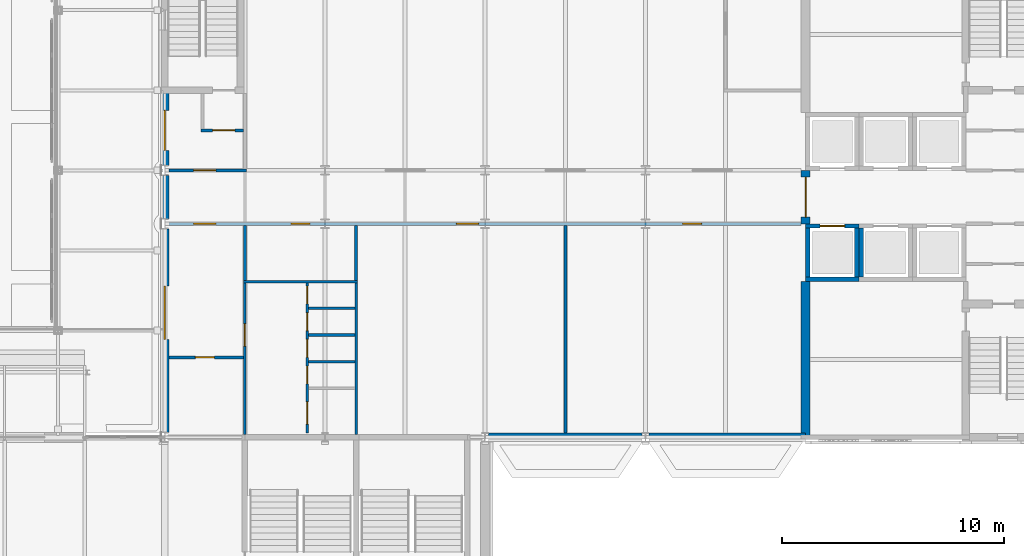
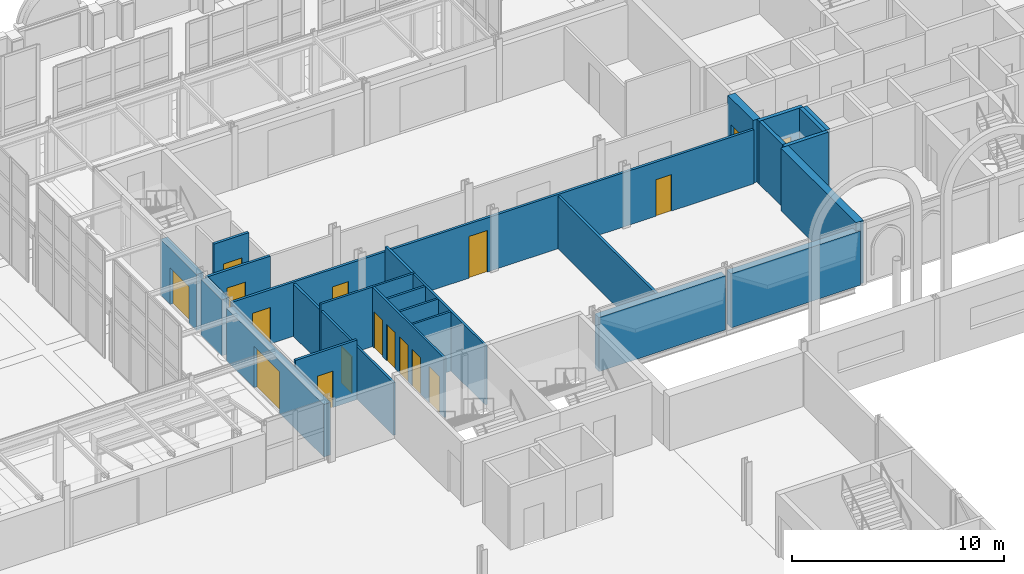
# One storey, part 77 of 143: 26 walls, 17 doors, 17 openings.
"""IFC4 building model written with IfcOpenShell, lengths in metres."""

from ifc_helpers import new_model, si_unit, direction, frame, frame_2d, origin, place, context, subcontext, project, spatial, rectangle, extrude, material, layer, layer_set, type_object, element, fill, save


model = new_model("IFC4")

# Units and contexts
model_context = context("Model", 3, precision=1e-05, world=origin(), true_north=direction((0.0, 1.0)))
body_context = subcontext(model_context, "Body", "Model", "MODEL_VIEW")
ifc_project = project(units=[si_unit("LENGTHUNIT", "METRE"), si_unit("AREAUNIT", "SQUARE_METRE"), si_unit("VOLUMEUNIT", "CUBIC_METRE"), si_unit("PLANEANGLEUNIT", "RADIAN"), si_unit("MASSUNIT", "GRAM", prefix="KILO")], contexts=[model_context])

# Site, building, storey
site_placement = place(None, origin())
site = spatial("IfcSite", under=ifc_project, at=site_placement, CompositionType="ELEMENT")
building_placement = place(site_placement, origin())
building = spatial("IfcBuilding", under=site, at=building_placement, Name="Kupolbacken Congress Centre", CompositionType="ELEMENT")
storey_placement = place(building_placement, frame((0.0, 0.0, 7.199951171875)))
storey = spatial("IfcBuildingStorey", under=building, at=storey_placement, Name="L02", CompositionType="ELEMENT", Elevation=7.199951171875)

# Walls
ifc_material_1 = material(Name="Limestone", Category="masonry")
ifc_layer_1 = layer(ifc_material_1, 0.1201171875)
ifc_material_2 = material(Name="Air cavity", Category="air")
ifc_layer_2 = layer(ifc_material_2, 0.0400390625, ventilated=True)
ifc_material_3 = material(Name="Mineral wool", Category="insulation")
ifc_layer_3 = layer(ifc_material_3, 0.169921875)
ifc_material_4 = material(Name="Steel studs", Category="metal")
ifc_layer_4 = layer(ifc_material_4, 0.050048828125)
ifc_layer_set_1 = layer_set([ifc_layer_1, ifc_layer_2, ifc_layer_3, ifc_layer_4], Name="Limestone / Mineral wool / Steel studs")
wall_type_1 = type_object("IfcWallType", Name="EW03 external cavity wall 380", PredefinedType="SOLIDWALL", material=ifc_layer_set_1)
wall_1_placement = place(storey_placement, frame((79.353515625, 122.39990234375, 0.0), z_axis=(0.0, 0.0, 1.0), x_axis=(1.0, 0.0, 0.0)))
element("IfcWall", 1, at=wall_1_placement, inside=storey, type_object=wall_type_1, Name="E/T/S/L02/023", PredefinedType="SOLIDWALL", context=body_context, shape_type="SweptSolid", body=[
    extrude(rectangle(XDim=6.89306640625, YDim=0.3798828125, at=frame_2d((3.446533203125, 0.0))), origin(), (0.0, 0.0, 1.0), 3.1201171875),
])
wall_2_placement = place(storey_placement, frame((86.553466796875, 122.39990234375, 0.0), z_axis=(0.0, 0.0, 1.0), x_axis=(1.0, 0.0, 0.0)))
element("IfcWall", 2, at=wall_2_placement, inside=storey, type_object=wall_type_1, Name="E/T/S/L02/024", PredefinedType="SOLIDWALL", context=body_context, shape_type="SweptSolid", body=[
    extrude(rectangle(XDim=7.046630859375, YDim=0.3798828125, at=frame_2d((3.5234375, 0.0))), origin(), (0.0, 0.0, 1.0), 3.1201171875),
])

# Wall, opening, door
wall_3_placement = place(storey_placement, frame((64.800048828125, 138.0, 0.0), z_axis=(0.0, 0.0, 1.0), x_axis=(0.0, -1.0, 0.0)))
wall_3 = element("IfcWall", 3, at=wall_3_placement, inside=storey, type_object=wall_type_1, Name="E/T/W/L02/030", PredefinedType="SOLIDWALL", context=body_context, shape_type="SweptSolid", body=[
    extrude(rectangle(XDim=3.375, YDim=0.3798828125, at=frame_2d((1.6875, 0.0))), origin(), (0.0, 0.0, 1.0), 3.219970703125),
])
opening_1_placement = place(wall_3_placement, frame((0.89990234375, 0.0, 0.0)))
opening_1 = element("IfcOpeningElement", 4, at=opening_1_placement, cuts=wall_3, Name="Opening D44", PredefinedType="OPENING", context=body_context, shape_type="SweptSolid", body=[
    extrude(rectangle(XDim=1.800048828125, YDim=2.10009765625, at=frame_2d((0.89990234375, 1.050048828125))), frame((0.0, 0.199951171875, 0.0), z_axis=(0.0, -1.0, 0.0), x_axis=(1.0, 0.0, 0.0)), (0.0, 0.0, 1.0), 0.39990234375),
])
ifc_material_5 = material(Name="Steel fire door leaf", Category="steel")
door_type_1 = type_object("IfcDoorType", Name="D44 stair door 1800x2100", OperationType="DOUBLE_DOOR_SINGLE_SWING", PredefinedType="DOOR", material=ifc_material_5)
door_1_placement = place(opening_1_placement, frame((1.800048828125, 0.0, 0.0), z_axis=(0.0, 0.0, 1.0), x_axis=(-1.0, 0.0, 0.0)))
door_1 = element("IfcDoor", 5, at=door_1_placement, inside=storey, type_object=door_type_1, Name="E/T/W/L02/030/DXTS3", OperationType="DOUBLE_DOOR_SINGLE_SWING", OverallHeight=2.10009765625, OverallWidth=1.800048828125, PredefinedType="DOOR", context=body_context, shape_type="SweptSolid", body=[
    extrude(rectangle(XDim=1.800048828125, YDim=2.10009765625, at=frame_2d((0.89990234375, 1.050048828125))), frame((0.0, 0.02490234375, 0.0), z_axis=(0.0, -1.0, 0.0), x_axis=(1.0, 0.0, 0.0)), (0.0, 0.0, 1.0), 0.050048828125),
])
fill(opening_1, door_1)

# Wall
wall_4_placement = place(storey_placement, frame((64.800048828125, 134.175048828125, 0.0), z_axis=(0.0, 0.0, 1.0), x_axis=(0.0, -1.0, 0.0)))
element("IfcWall", 6, at=wall_4_placement, inside=storey, type_object=wall_type_1, Name="E/T/W/L02/031", PredefinedType="SOLIDWALL", context=body_context, shape_type="SweptSolid", body=[
    extrude(rectangle(XDim=1.949951171875, YDim=0.3798828125, at=frame_2d((0.97509765625, 0.0))), origin(), (0.0, 0.0, 1.0), 3.219970703125),
])

# Wall, opening, door
wall_5_placement = place(storey_placement, frame((64.800048828125, 131.77490234375, 0.0), z_axis=(0.0, 0.0, 1.0), x_axis=(0.0, -1.0, 0.0)))
wall_5 = element("IfcWall", 7, at=wall_5_placement, inside=storey, type_object=wall_type_1, Name="E/T/W/L02/032", PredefinedType="SOLIDWALL", context=body_context, shape_type="SweptSolid", body=[
    extrude(rectangle(XDim=9.14990234375, YDim=0.3798828125, at=frame_2d((4.574951171875, 0.0))), origin(), (0.0, 0.0, 1.0), 3.02001953125),
])
opening_2_placement = place(wall_5_placement, frame((2.574951171875, 0.0, 0.0)))
opening_2 = element("IfcOpeningElement", 8, at=opening_2_placement, cuts=wall_5, Name="Opening D18", PredefinedType="OPENING", context=body_context, shape_type="SweptSolid", body=[
    extrude(rectangle(XDim=2.39990234375, YDim=2.39990234375, at=frame_2d((1.199951171875, 1.199951171875))), frame((0.0, 0.199951171875, 0.0), z_axis=(0.0, -1.0, 0.0), x_axis=(1.0, 0.0, 0.0)), (0.0, 0.0, 1.0), 0.39990234375),
])
ifc_material_6 = material(Name="Timber door leaf", Category="wood")
door_type_2 = type_object("IfcDoorType", Name="D18 door 2400x2400", OperationType="DOUBLE_DOOR_SINGLE_SWING", PredefinedType="DOOR", material=ifc_material_6)
door_2_placement = place(opening_2_placement, frame((2.39990234375, 0.0, 0.0), z_axis=(0.0, 0.0, 1.0), x_axis=(-1.0, 0.0, 0.0)))
door_2 = element("IfcDoor", 9, at=door_2_placement, inside=storey, type_object=door_type_2, Name="E/T/W/L02/032/DHT4", OperationType="DOUBLE_DOOR_SINGLE_SWING", OverallHeight=2.39990234375, OverallWidth=2.39990234375, PredefinedType="DOOR", context=body_context, shape_type="SweptSolid", body=[
    extrude(rectangle(XDim=2.39990234375, YDim=2.39990234375, at=frame_2d((1.199951171875, 1.199951171875))), frame((0.0, 0.02490234375, 0.0), z_axis=(0.0, -1.0, 0.0), x_axis=(1.0, 0.0, 0.0)), (0.0, 0.0, 1.0), 0.050048828125),
])
fill(opening_2, door_2)

# Walls
ifc_material_7 = material(Name="Gypsum board", Category="drywall")
ifc_layer_5 = layer(ifc_material_7, 0.114990234375)
ifc_layer_set_2 = layer_set([ifc_layer_5], Name="Gypsum board")
wall_type_2 = type_object("IfcWallType", Name="P04 partition 115", PredefinedType="PARTITIONING", material=ifc_layer_set_2)
for number, where, z_axis, x_axis, name in (
    (10, (71.257568359375, 125.800048828125, 0.0), (0.0, 0.0, 1.0), (1.0, 0.0, 0.0), "T/wall/L02/x/12580/7120"),
    (11, (71.257568359375, 127.0, 0.0), (0.0, 0.0, 1.0), (1.0, 0.0, 0.0), "T/wall/L02/x/12700/7120"),
    (12, (71.257568359375, 128.199951171875, 0.0), (0.0, 0.0, 1.0), (1.0, 0.0, 0.0), "T/wall/L02/x/12820/7120"),
):
    element("IfcWall", number, at=place(storey_placement, frame(where, z_axis=z_axis, x_axis=x_axis)), inside=storey, type_object=wall_type_2, Name=name, PredefinedType="PARTITIONING", context=body_context, shape_type="SweptSolid", body=[
        extrude(rectangle(XDim=2.0849609375, YDim=0.114990234375, at=frame_2d((1.04248046875, 0.0))), origin(), (0.0, 0.0, 1.0), 3.420166015625),
    ])
wall_6_placement = place(storey_placement, frame((68.33251953125, 129.39990234375, 0.0), z_axis=(0.0, 0.0, 1.0), x_axis=(1.0, 0.0, 0.0)))
element("IfcWall", 13, at=wall_6_placement, inside=storey, type_object=wall_type_2, Name="T/wall/L02/x/12940/6840", PredefinedType="PARTITIONING", context=body_context, shape_type="SweptSolid", body=[
    extrude(rectangle(XDim=5.135009765625, YDim=0.114990234375, at=frame_2d((2.5673828125, 0.0))), origin(), (0.0, 0.0, 1.0), 3.420166015625),
])

# Wall, opening, door
wall_7_placement = place(storey_placement, frame((68.39990234375, 122.52490234375, 0.0), z_axis=(0.0, 0.0, 1.0), x_axis=(0.0, 1.0, 0.0)))
wall_7 = element("IfcWall", 14, at=wall_7_placement, inside=storey, type_object=wall_type_2, Name="T/wall/L02/y/6840/12252", PredefinedType="PARTITIONING", context=body_context, shape_type="SweptSolid", body=[
    extrude(rectangle(XDim=6.817626953125, YDim=0.114990234375, at=frame_2d((3.40869140625, 0.0))), origin(), (0.0, 0.0, 1.0), 3.02001953125),
])
opening_3_placement = place(wall_7_placement, frame((3.97509765625, 0.0, 0.0)))
opening_3 = element("IfcOpeningElement", 15, at=opening_3_placement, cuts=wall_7, Name="Opening D39", PredefinedType="OPENING", context=body_context, shape_type="SweptSolid", body=[
    extrude(rectangle(XDim=1.0, YDim=2.10009765625, at=frame_2d((0.5, 1.050048828125))), frame((0.0, 0.0673828125, 0.0), z_axis=(0.0, -1.0, 0.0), x_axis=(1.0, 0.0, 0.0)), (0.0, 0.0, 1.0), 0.135009765625),
])
ifc_material_8 = material(Name="Timber door leaf", Category="wood")
door_type_3 = type_object("IfcDoorType", Name="D39 door 1000x2100", OperationType="SINGLE_SWING_LEFT", PredefinedType="DOOR", material=ifc_material_8)
door_3_placement = place(opening_3_placement, origin())
door_3 = element("IfcDoor", 16, at=door_3_placement, inside=storey, type_object=door_type_3, Name="T/wall/L02/y/6840/12252/D-WH-DE", OperationType="SINGLE_SWING_RIGHT", OverallHeight=2.10009765625, OverallWidth=1.0, PredefinedType="DOOR", context=body_context, shape_type="SweptSolid", body=[
    extrude(rectangle(XDim=1.0, YDim=2.10009765625, at=frame_2d((0.5, 1.050048828125))), frame((0.0, 0.02490234375, 0.0), z_axis=(0.0, -1.0, 0.0), x_axis=(1.0, 0.0, 0.0)), (0.0, 0.0, 1.0), 0.050048828125),
])
fill(opening_3, door_3)

# Wall, openings, doors
wall_8_placement = place(storey_placement, frame((71.199951171875, 122.590087890625, 0.0), z_axis=(0.0, 0.0, 1.0), x_axis=(0.0, 1.0, 0.0)))
wall_8 = element("IfcWall", 17, at=wall_8_placement, inside=storey, type_object=wall_type_2, Name="T/wall/L02/y/7120/12240", PredefinedType="PARTITIONING", context=body_context, shape_type="SweptSolid", body=[
    extrude(rectangle(XDim=6.75244140625, YDim=0.114990234375, at=frame_2d((3.376220703125, 0.0))), origin(), (0.0, 0.0, 1.0), 3.420166015625),
])
opening_4_placement = place(wall_8_placement, frame((0.409912109375, 0.0, 0.0)))
opening_4 = element("IfcOpeningElement", 18, at=opening_4_placement, cuts=wall_8, Name="Opening D39", PredefinedType="OPENING", context=body_context, shape_type="SweptSolid", body=[
    extrude(rectangle(XDim=1.0, YDim=2.10009765625, at=frame_2d((0.5, 1.050048828125))), frame((0.0, 0.0673828125, 0.0), z_axis=(0.0, -1.0, 0.0), x_axis=(1.0, 0.0, 0.0)), (0.0, 0.0, 1.0), 0.135009765625),
])
opening_5_placement = place(wall_8_placement, frame((2.2099609375, 0.0, 0.0)))
opening_5 = element("IfcOpeningElement", 19, at=opening_5_placement, cuts=wall_8, Name="Opening D2", PredefinedType="OPENING", context=body_context, shape_type="SweptSolid", body=[
    extrude(rectangle(XDim=0.800048828125, YDim=2.10009765625, at=frame_2d((0.39990234375, 1.050048828125))), frame((0.0, 0.0673828125, 0.0), z_axis=(0.0, -1.0, 0.0), x_axis=(1.0, 0.0, 0.0)), (0.0, 0.0, 1.0), 0.135009765625),
])
opening_6_placement = place(wall_8_placement, frame((3.409912109375, 0.0, 0.0)))
opening_6 = element("IfcOpeningElement", 20, at=opening_6_placement, cuts=wall_8, Name="Opening D2", PredefinedType="OPENING", context=body_context, shape_type="SweptSolid", body=[
    extrude(rectangle(XDim=0.800048828125, YDim=2.10009765625, at=frame_2d((0.39990234375, 1.050048828125))), frame((0.0, 0.0673828125, 0.0), z_axis=(0.0, -1.0, 0.0), x_axis=(1.0, 0.0, 0.0)), (0.0, 0.0, 1.0), 0.135009765625),
])
opening_7_placement = place(wall_8_placement, frame((4.610107421875, 0.0, 0.0)))
opening_7 = element("IfcOpeningElement", 21, at=opening_7_placement, cuts=wall_8, Name="Opening D2", PredefinedType="OPENING", context=body_context, shape_type="SweptSolid", body=[
    extrude(rectangle(XDim=0.800048828125, YDim=2.10009765625, at=frame_2d((0.39990234375, 1.050048828125))), frame((0.0, 0.0673828125, 0.0), z_axis=(0.0, -1.0, 0.0), x_axis=(1.0, 0.0, 0.0)), (0.0, 0.0, 1.0), 0.135009765625),
])
opening_8_placement = place(wall_8_placement, frame((5.81005859375, 0.0, 0.0)))
opening_8 = element("IfcOpeningElement", 22, at=opening_8_placement, cuts=wall_8, Name="Opening D2", PredefinedType="OPENING", context=body_context, shape_type="SweptSolid", body=[
    extrude(rectangle(XDim=0.800048828125, YDim=2.10009765625, at=frame_2d((0.39990234375, 1.050048828125))), frame((0.0, 0.0673828125, 0.0), z_axis=(0.0, -1.0, 0.0), x_axis=(1.0, 0.0, 0.0)), (0.0, 0.0, 1.0), 0.135009765625),
])
ifc_material_9 = material(Name="Timber door leaf", Category="wood")
door_type_4 = type_object("IfcDoorType", Name="D2 door 800x2100", OperationType="SINGLE_SWING_LEFT", PredefinedType="DOOR", material=ifc_material_9)
door_4_placement = place(opening_5_placement, frame((0.800048828125, 0.0, 0.0), z_axis=(0.0, 0.0, 1.0), x_axis=(-1.0, 0.0, 0.0)))
door_4 = element("IfcDoor", 23, at=door_4_placement, inside=storey, type_object=door_type_4, Name="T/wall/L02/y/7120/12240/D-WH-DC1", OperationType="SINGLE_SWING_RIGHT", OverallHeight=2.10009765625, OverallWidth=0.800048828125, PredefinedType="DOOR", context=body_context, shape_type="SweptSolid", body=[
    extrude(rectangle(XDim=0.800048828125, YDim=2.10009765625, at=frame_2d((0.39990234375, 1.050048828125))), frame((0.0, 0.02490234375, 0.0), z_axis=(0.0, -1.0, 0.0), x_axis=(1.0, 0.0, 0.0)), (0.0, 0.0, 1.0), 0.050048828125),
])
fill(opening_5, door_4)
door_5_placement = place(opening_6_placement, frame((0.800048828125, 0.0, 0.0), z_axis=(0.0, 0.0, 1.0), x_axis=(-1.0, 0.0, 0.0)))
door_5 = element("IfcDoor", 24, at=door_5_placement, inside=storey, type_object=door_type_4, Name="T/wall/L02/y/7120/12240/D-WH-DC2", OperationType="SINGLE_SWING_LEFT", OverallHeight=2.10009765625, OverallWidth=0.800048828125, PredefinedType="DOOR", context=body_context, shape_type="SweptSolid", body=[
    extrude(rectangle(XDim=0.800048828125, YDim=2.10009765625, at=frame_2d((0.39990234375, 1.050048828125))), frame((0.0, 0.02490234375, 0.0), z_axis=(0.0, -1.0, 0.0), x_axis=(1.0, 0.0, 0.0)), (0.0, 0.0, 1.0), 0.050048828125),
])
fill(opening_6, door_5)
door_6_placement = place(opening_7_placement, frame((0.800048828125, 0.0, 0.0), z_axis=(0.0, 0.0, 1.0), x_axis=(-1.0, 0.0, 0.0)))
door_6 = element("IfcDoor", 25, at=door_6_placement, inside=storey, type_object=door_type_4, Name="T/wall/L02/y/7120/12240/D-WH-DC3", OperationType="SINGLE_SWING_LEFT", OverallHeight=2.10009765625, OverallWidth=0.800048828125, PredefinedType="DOOR", context=body_context, shape_type="SweptSolid", body=[
    extrude(rectangle(XDim=0.800048828125, YDim=2.10009765625, at=frame_2d((0.39990234375, 1.050048828125))), frame((0.0, 0.02490234375, 0.0), z_axis=(0.0, -1.0, 0.0), x_axis=(1.0, 0.0, 0.0)), (0.0, 0.0, 1.0), 0.050048828125),
])
fill(opening_7, door_6)
door_7_placement = place(opening_8_placement, frame((0.800048828125, 0.0, 0.0), z_axis=(0.0, 0.0, 1.0), x_axis=(-1.0, 0.0, 0.0)))
door_7 = element("IfcDoor", 26, at=door_7_placement, inside=storey, type_object=door_type_4, Name="T/wall/L02/y/7120/12240/D-WH-DC4", OperationType="SINGLE_SWING_RIGHT", OverallHeight=2.10009765625, OverallWidth=0.800048828125, PredefinedType="DOOR", context=body_context, shape_type="SweptSolid", body=[
    extrude(rectangle(XDim=0.800048828125, YDim=2.10009765625, at=frame_2d((0.39990234375, 1.050048828125))), frame((0.0, 0.02490234375, 0.0), z_axis=(0.0, -1.0, 0.0), x_axis=(1.0, 0.0, 0.0)), (0.0, 0.0, 1.0), 0.050048828125),
])
fill(opening_8, door_7)
door_8_placement = place(opening_4_placement, frame((1.0, 0.0, 0.0), z_axis=(0.0, 0.0, 1.0), x_axis=(-1.0, 0.0, 0.0)))
door_8 = element("IfcDoor", 27, at=door_8_placement, inside=storey, type_object=door_type_3, Name="T/wall/L02/y/7120/12240/D-WH-DA", OperationType="SINGLE_SWING_LEFT", OverallHeight=2.10009765625, OverallWidth=1.0, PredefinedType="DOOR", context=body_context, shape_type="SweptSolid", body=[
    extrude(rectangle(XDim=1.0, YDim=2.10009765625, at=frame_2d((0.5, 1.050048828125))), frame((0.0, 0.02490234375, 0.0), z_axis=(0.0, -1.0, 0.0), x_axis=(1.0, 0.0, 0.0)), (0.0, 0.0, 1.0), 0.050048828125),
])
fill(opening_4, door_8)

# Wall
wall_9_placement = place(storey_placement, frame((73.39990234375, 122.52490234375, 0.0), z_axis=(0.0, 0.0, 1.0), x_axis=(0.0, 1.0, 0.0)))
element("IfcWall", 28, at=wall_9_placement, inside=storey, type_object=wall_type_2, Name="T/wall/L02/y/7340/12252", PredefinedType="PARTITIONING", context=body_context, shape_type="SweptSolid", body=[
    extrude(rectangle(XDim=6.817626953125, YDim=0.114990234375, at=frame_2d((3.40869140625, 0.0))), origin(), (0.0, 0.0, 1.0), 3.420166015625),
])

# Wall, opening, door
ifc_material_10 = material(Name="Gypsum board", Category="drywall")
ifc_layer_6 = layer(ifc_material_10, 0.135009765625)
ifc_layer_set_3 = layer_set([ifc_layer_6], Name="Gypsum board")
wall_type_3 = type_object("IfcWallType", Name="P06 compartment wall 135", PredefinedType="PARTITIONING", material=ifc_layer_set_3)
wall_10_placement = place(storey_placement, frame((64.989990234375, 126.0, 0.0), z_axis=(0.0, 0.0, 1.0), x_axis=(1.0, 0.0, 0.0)))
wall_10 = element("IfcWall", 29, at=wall_10_placement, inside=storey, type_object=wall_type_3, Name="T/wall/L02/x/12600/6480", PredefinedType="PARTITIONING", context=body_context, shape_type="SweptSolid", body=[
    extrude(rectangle(XDim=3.3525390625, YDim=0.135009765625, at=frame_2d((1.67626953125, 0.0))), origin(), (0.0, 0.0, 1.0), 3.420166015625),
])
opening_9_placement = place(wall_10_placement, frame((1.18505859375, 0.0, 0.0)))
opening_9 = element("IfcOpeningElement", 30, at=opening_9_placement, cuts=wall_10, Name="Opening D3", PredefinedType="OPENING", context=body_context, shape_type="SweptSolid", body=[
    extrude(rectangle(XDim=0.85009765625, YDim=2.10009765625, at=frame_2d((0.425048828125, 1.050048828125))), frame((0.0, 0.077392578125, 0.0), z_axis=(0.0, -1.0, 0.0), x_axis=(1.0, 0.0, 0.0)), (0.0, 0.0, 1.0), 0.155029296875),
])
ifc_material_11 = material(Name="Steel fire door leaf", Category="steel")
door_type_5 = type_object("IfcDoorType", Name="D3 fire door 850x2100", OperationType="SINGLE_SWING_LEFT", PredefinedType="DOOR", material=ifc_material_11)
door_9_placement = place(opening_9_placement, frame((0.85009765625, 0.0, 0.0), z_axis=(0.0, 0.0, 1.0), x_axis=(-1.0, 0.0, 0.0)))
door_9 = element("IfcDoor", 31, at=door_9_placement, inside=storey, type_object=door_type_5, Name="T/wall/L02/x/12600/6480/D-PRT-D", OperationType="SINGLE_SWING_LEFT", OverallHeight=2.10009765625, OverallWidth=0.85009765625, PredefinedType="DOOR", context=body_context, shape_type="SweptSolid", body=[
    extrude(rectangle(XDim=0.85009765625, YDim=2.10009765625, at=frame_2d((0.425048828125, 1.050048828125))), frame((0.0, 0.02490234375, 0.0), z_axis=(0.0, -1.0, 0.0), x_axis=(1.0, 0.0, 0.0)), (0.0, 0.0, 1.0), 0.050048828125),
])
fill(opening_9, door_9)

# Wall, openings, doors
wall_11_placement = place(storey_placement, frame((64.989990234375, 132.0, 0.0), z_axis=(0.0, 0.0, 1.0), x_axis=(1.0, 0.0, 0.0)))
wall_11 = element("IfcWall", 32, at=wall_11_placement, inside=storey, type_object=wall_type_3, Name="T/wall/L02/x/13200/6480", PredefinedType="PARTITIONING", context=body_context, shape_type="SweptSolid", body=[
    extrude(rectangle(XDim=28.409912109375, YDim=0.135009765625, at=frame_2d((14.205078125, 0.0))), origin(), (0.0, 0.0, 1.0), 3.1201171875),
])
opening_10_placement = place(wall_11_placement, frame((5.485107421875, 0.0, 0.0)))
opening_10 = element("IfcOpeningElement", 33, at=opening_10_placement, cuts=wall_11, Name="Opening D3", PredefinedType="OPENING", context=body_context, shape_type="SweptSolid", body=[
    extrude(rectangle(XDim=0.85009765625, YDim=2.10009765625, at=frame_2d((0.425048828125, 1.050048828125))), frame((0.0, 0.077392578125, 0.0), z_axis=(0.0, -1.0, 0.0), x_axis=(1.0, 0.0, 0.0)), (0.0, 0.0, 1.0), 0.155029296875),
])
opening_11_placement = place(wall_11_placement, frame((12.909912109375, 0.0, 0.0)))
opening_11 = element("IfcOpeningElement", 34, at=opening_11_placement, cuts=wall_11, Name="Opening D8", PredefinedType="OPENING", context=body_context, shape_type="SweptSolid", body=[
    extrude(rectangle(XDim=1.0, YDim=2.39990234375, at=frame_2d((0.5, 1.199951171875))), frame((0.0, 0.077392578125, 0.0), z_axis=(0.0, -1.0, 0.0), x_axis=(1.0, 0.0, 0.0)), (0.0, 0.0, 1.0), 0.155029296875),
])
opening_12_placement = place(wall_11_placement, frame((23.0849609375, 0.0, 0.0)))
opening_12 = element("IfcOpeningElement", 35, at=opening_12_placement, cuts=wall_11, Name="Opening D3", PredefinedType="OPENING", context=body_context, shape_type="SweptSolid", body=[
    extrude(rectangle(XDim=0.85009765625, YDim=2.10009765625, at=frame_2d((0.425048828125, 1.050048828125))), frame((0.0, 0.077392578125, 0.0), z_axis=(0.0, -1.0, 0.0), x_axis=(1.0, 0.0, 0.0)), (0.0, 0.0, 1.0), 0.155029296875),
])
opening_13_placement = place(wall_11_placement, frame((1.110107421875, 0.0, 0.0)))
opening_13 = element("IfcOpeningElement", 36, at=opening_13_placement, cuts=wall_11, Name="Opening D5", PredefinedType="OPENING", context=body_context, shape_type="SweptSolid", body=[
    extrude(rectangle(XDim=1.0, YDim=2.10009765625, at=frame_2d((0.5, 1.050048828125))), frame((0.0, 0.077392578125, 0.0), z_axis=(0.0, -1.0, 0.0), x_axis=(1.0, 0.0, 0.0)), (0.0, 0.0, 1.0), 0.155029296875),
])
door_10_placement = place(opening_10_placement, frame((0.85009765625, 0.0, 0.0), z_axis=(0.0, 0.0, 1.0), x_axis=(-1.0, 0.0, 0.0)))
door_10 = element("IfcDoor", 37, at=door_10_placement, inside=storey, type_object=door_type_5, Name="T/wall/L02/x/13200/6480/D-WHC-D", OperationType="SINGLE_SWING_RIGHT", OverallHeight=2.10009765625, OverallWidth=0.85009765625, PredefinedType="DOOR", context=body_context, shape_type="SweptSolid", body=[
    extrude(rectangle(XDim=0.85009765625, YDim=2.10009765625, at=frame_2d((0.425048828125, 1.050048828125))), frame((0.0, 0.02490234375, 0.0), z_axis=(0.0, -1.0, 0.0), x_axis=(1.0, 0.0, 0.0)), (0.0, 0.0, 1.0), 0.050048828125),
])
fill(opening_10, door_10)
door_11_placement = place(opening_12_placement, frame((0.85009765625, 0.0, 0.0), z_axis=(0.0, 0.0, 1.0), x_axis=(-1.0, 0.0, 0.0)))
door_11 = element("IfcDoor", 38, at=door_11_placement, inside=storey, type_object=door_type_5, Name="T/wall/L02/x/13200/6480/D-LUG-D", OperationType="SINGLE_SWING_RIGHT", OverallHeight=2.10009765625, OverallWidth=0.85009765625, PredefinedType="DOOR", context=body_context, shape_type="SweptSolid", body=[
    extrude(rectangle(XDim=0.85009765625, YDim=2.10009765625, at=frame_2d((0.425048828125, 1.050048828125))), frame((0.0, 0.02490234375, 0.0), z_axis=(0.0, -1.0, 0.0), x_axis=(1.0, 0.0, 0.0)), (0.0, 0.0, 1.0), 0.050048828125),
])
fill(opening_12, door_11)
ifc_material_12 = material(Name="Steel fire door leaf", Category="steel")
door_type_6 = type_object("IfcDoorType", Name="D5 stair door 1000x2100", OperationType="SINGLE_SWING_LEFT", PredefinedType="DOOR", material=ifc_material_12)
door_12_placement = place(opening_13_placement, origin())
door_12 = element("IfcDoor", 39, at=door_12_placement, inside=storey, type_object=door_type_6, Name="T/wall/L02/x/13200/6480/D-VST-D", OperationType="SINGLE_SWING_RIGHT", OverallHeight=2.10009765625, OverallWidth=1.0, PredefinedType="DOOR", context=body_context, shape_type="SweptSolid", body=[
    extrude(rectangle(XDim=1.0, YDim=2.10009765625, at=frame_2d((0.5, 1.050048828125))), frame((0.0, 0.02490234375, 0.0), z_axis=(0.0, -1.0, 0.0), x_axis=(1.0, 0.0, 0.0)), (0.0, 0.0, 1.0), 0.050048828125),
])
fill(opening_13, door_12)
ifc_material_13 = material(Name="Steel fire door leaf", Category="steel")
door_type_7 = type_object("IfcDoorType", Name="D8 fire door 1000x2400", OperationType="SINGLE_SWING_LEFT", PredefinedType="DOOR", material=ifc_material_13)
door_13_placement = place(opening_11_placement, frame((1.0, 0.0, 0.0), z_axis=(0.0, 0.0, 1.0), x_axis=(-1.0, 0.0, 0.0)))
door_13 = element("IfcDoor", 40, at=door_13_placement, inside=storey, type_object=door_type_7, Name="T/wall/L02/x/13200/6480/D-ROF-D", OperationType="SINGLE_SWING_LEFT", OverallHeight=2.39990234375, OverallWidth=1.0, PredefinedType="DOOR", context=body_context, shape_type="SweptSolid", body=[
    extrude(rectangle(XDim=1.0, YDim=2.39990234375, at=frame_2d((0.5, 1.199951171875))), frame((0.0, 0.02490234375, 0.0), z_axis=(0.0, -1.0, 0.0), x_axis=(1.0, 0.0, 0.0)), (0.0, 0.0, 1.0), 0.050048828125),
])
fill(opening_11, door_13)

# Walls
wall_12_placement = place(storey_placement, frame((68.39990234375, 129.45751953125, 0.0), z_axis=(0.0, 0.0, 1.0), x_axis=(0.0, 1.0, 0.0)))
element("IfcWall", 41, at=wall_12_placement, inside=storey, type_object=wall_type_3, Name="T/wall/L02/y/6840/12940", PredefinedType="PARTITIONING", context=body_context, shape_type="SweptSolid", body=[
    extrude(rectangle(XDim=2.47509765625, YDim=0.135009765625, at=frame_2d((1.237548828125, 0.0))), origin(), (0.0, 0.0, 1.0), 3.02001953125),
])
wall_13_placement = place(storey_placement, frame((73.39990234375, 129.45751953125, 0.0), z_axis=(0.0, 0.0, 1.0), x_axis=(0.0, 1.0, 0.0)))
element("IfcWall", 42, at=wall_13_placement, inside=storey, type_object=wall_type_3, Name="T/wall/L02/y/7340/12940", PredefinedType="PARTITIONING", context=body_context, shape_type="SweptSolid", body=[
    extrude(rectangle(XDim=2.47509765625, YDim=0.135009765625, at=frame_2d((1.237548828125, 0.0))), origin(), (0.0, 0.0, 1.0), 3.420166015625),
])
wall_14_placement = place(storey_placement, frame((82.800048828125, 122.590087890625, 0.0), z_axis=(0.0, 0.0, 1.0), x_axis=(0.0, 1.0, 0.0)))
element("IfcWall", 43, at=wall_14_placement, inside=storey, type_object=wall_type_3, Name="T/wall/L02/y/8280/12240", PredefinedType="PARTITIONING", context=body_context, shape_type="SweptSolid", body=[
    extrude(rectangle(XDim=9.342529296875, YDim=0.135009765625, at=frame_2d((4.67138671875, 0.0))), origin(), (0.0, 0.0, 1.0), 3.02001953125),
])

# Wall, opening, door
ifc_material_14 = material(Name="Aerated concrete block", Category="masonry")
ifc_layer_7 = layer(ifc_material_14, 0.139892578125)
ifc_layer_set_4 = layer_set([ifc_layer_7], Name="Aerated concrete block")
wall_type_4 = type_object("IfcWallType", Name="P14 compartment wall 140", PredefinedType="PARTITIONING", material=ifc_layer_set_4)
wall_15_placement = place(storey_placement, frame((64.989990234375, 134.39990234375, 0.0), z_axis=(0.0, 0.0, 1.0), x_axis=(1.0, 0.0, 0.0)))
wall_15 = element("IfcWall", 44, at=wall_15_placement, inside=storey, type_object=wall_type_4, Name="T/wall/L02/x/13440/6480", PredefinedType="PARTITIONING", context=body_context, shape_type="SweptSolid", body=[
    extrude(rectangle(XDim=3.47998046875, YDim=0.139892578125, at=frame_2d((1.739990234375, 0.0))), origin(), (0.0, 0.0, 1.0), 3.1201171875),
])
opening_14_placement = place(wall_15_placement, frame((1.110107421875, 0.0, 0.0)))
opening_14 = element("IfcOpeningElement", 45, at=opening_14_placement, cuts=wall_15, Name="Opening D5", PredefinedType="OPENING", context=body_context, shape_type="SweptSolid", body=[
    extrude(rectangle(XDim=1.0, YDim=2.10009765625, at=frame_2d((0.5, 1.050048828125))), frame((0.0, 0.079833984375, 0.0), z_axis=(0.0, -1.0, 0.0), x_axis=(1.0, 0.0, 0.0)), (0.0, 0.0, 1.0), 0.159912109375),
])
door_14_placement = place(opening_14_placement, frame((1.0, 0.0, 0.0), z_axis=(0.0, 0.0, 1.0), x_axis=(-1.0, 0.0, 0.0)))
door_14 = element("IfcDoor", 46, at=door_14_placement, inside=storey, type_object=door_type_6, Name="T/wall/L02/x/13440/6480/D-TS3-LK3", OperationType="SINGLE_SWING_LEFT", OverallHeight=2.10009765625, OverallWidth=1.0, PredefinedType="DOOR", context=body_context, shape_type="SweptSolid", body=[
    extrude(rectangle(XDim=1.0, YDim=2.10009765625, at=frame_2d((0.5, 1.050048828125))), frame((0.0, 0.02490234375, 0.0), z_axis=(0.0, -1.0, 0.0), x_axis=(1.0, 0.0, 0.0)), (0.0, 0.0, 1.0), 0.050048828125),
])
fill(opening_14, door_14)

wall_16_placement = place(storey_placement, frame((66.429931640625, 136.199951171875, 0.0), z_axis=(0.0, 0.0, 1.0), x_axis=(1.0, 0.0, 0.0)))
wall_16 = element("IfcWall", 47, at=wall_16_placement, inside=storey, type_object=wall_type_4, Name="T/wall/L02/x/13620/6650", PredefinedType="PARTITIONING", context=body_context, shape_type="SweptSolid", body=[
    extrude(rectangle(XDim=1.900146484375, YDim=0.139892578125, at=frame_2d((0.9501953125, 0.0))), origin(), (0.0, 0.0, 1.0), 3.420166015625),
])
opening_15_placement = place(wall_16_placement, frame((0.52001953125, 0.0, 0.0)))
opening_15 = element("IfcOpeningElement", 48, at=opening_15_placement, cuts=wall_16, Name="Opening D5", PredefinedType="OPENING", context=body_context, shape_type="SweptSolid", body=[
    extrude(rectangle(XDim=1.0, YDim=2.10009765625, at=frame_2d((0.5, 1.050048828125))), frame((0.0, 0.079833984375, 0.0), z_axis=(0.0, -1.0, 0.0), x_axis=(1.0, 0.0, 0.0)), (0.0, 0.0, 1.0), 0.159912109375),
])
door_15_placement = place(opening_15_placement, frame((1.0, 0.0, 0.0), z_axis=(0.0, 0.0, 1.0), x_axis=(-1.0, 0.0, 0.0)))
door_15 = element("IfcDoor", 49, at=door_15_placement, inside=storey, type_object=door_type_6, Name="T/wall/L02/x/13620/6650/D-TS3-LK2", OperationType="SINGLE_SWING_RIGHT", OverallHeight=2.10009765625, OverallWidth=1.0, PredefinedType="DOOR", context=body_context, shape_type="SweptSolid", body=[
    extrude(rectangle(XDim=1.0, YDim=2.10009765625, at=frame_2d((0.5, 1.050048828125))), frame((0.0, 0.02490234375, 0.0), z_axis=(0.0, -1.0, 0.0), x_axis=(1.0, 0.0, 0.0)), (0.0, 0.0, 1.0), 0.050048828125),
])
fill(opening_15, door_15)

# Wall
ifc_material_15 = material(Name="Concrete C40/50", Category="concrete")
ifc_layer_8 = layer(ifc_material_15, 0.199951171875)
ifc_layer_set_5 = layer_set([ifc_layer_8], Name="Concrete C40/50")
wall_type_5 = type_object("IfcWallType", Name="WC1 RC shaft wall 200", PredefinedType="SHEAR", material=ifc_layer_set_5)
wall_17_placement = place(storey_placement, frame((93.60009765625, 129.5, 0.0), z_axis=(0.0, 0.0, 1.0), x_axis=(1.0, 0.0, 0.0)))
element("IfcWall", 50, at=wall_17_placement, inside=storey, type_object=wall_type_5, Name="Shaft wall LP9", PredefinedType="SHEAR", context=body_context, shape_type="SweptSolid", body=[
    extrude(rectangle(XDim=2.39990234375, YDim=0.199951171875, at=frame_2d((1.199951171875, 0.0))), origin(), (0.0, 0.0, 1.0), 3.60009765625),
])

# Wall, opening, door
wall_18_placement = place(storey_placement, frame((93.60009765625, 131.89990234375, 0.0), z_axis=(0.0, 0.0, 1.0), x_axis=(1.0, 0.0, 0.0)))
wall_18 = element("IfcWall", 51, at=wall_18_placement, inside=storey, type_object=wall_type_5, Name="Shaft wall LP9", PredefinedType="SHEAR", context=body_context, shape_type="SweptSolid", body=[
    extrude(rectangle(XDim=2.39990234375, YDim=0.199951171875, at=frame_2d((1.199951171875, 0.0))), origin(), (0.0, 0.0, 1.0), 3.60009765625),
])
opening_16_placement = place(wall_18_placement, frame((0.64990234375, 0.0, 0.0)))
opening_16 = element("IfcOpeningElement", 52, at=opening_16_placement, cuts=wall_18, Name="Opening LD2", PredefinedType="OPENING", context=body_context, shape_type="SweptSolid", body=[
    extrude(rectangle(XDim=1.10009765625, YDim=2.10009765625, at=frame_2d((0.550048828125, 1.050048828125))), frame((0.0, 0.10986328125, 0.0), z_axis=(0.0, -1.0, 0.0), x_axis=(1.0, 0.0, 0.0)), (0.0, 0.0, 1.0), 0.219970703125),
])
ifc_material_16 = material(Name="Stainless steel door leaf", Category="steel")
door_type_8 = type_object("IfcDoorType", Name="LD2 lift landing door 1100x2100", OperationType="SLIDING_TO_LEFT", PredefinedType="DOOR", material=ifc_material_16)
door_16_placement = place(opening_16_placement, origin())
door_16 = element("IfcDoor", 53, at=door_16_placement, inside=storey, type_object=door_type_8, Name="Lift landing door LP9", OperationType="SLIDING_TO_LEFT", OverallHeight=2.10009765625, OverallWidth=1.10009765625, PredefinedType="DOOR", context=body_context, shape_type="SweptSolid", body=[
    extrude(rectangle(XDim=1.10009765625, YDim=2.10009765625, at=frame_2d((0.550048828125, 1.050048828125))), frame((0.0, 0.02490234375, 0.0), z_axis=(0.0, -1.0, 0.0), x_axis=(1.0, 0.0, 0.0)), (0.0, 0.0, 1.0), 0.050048828125),
])
fill(opening_16, door_16)

# Walls
for number, where, z_axis, x_axis, name in (
    (54, (93.699951171875, 129.60009765625, 0.0), (0.0, 0.0, 1.0), (0.0, 1.0, 0.0), "Shaft wall LP9"),
    (55, (95.89990234375, 129.60009765625, 0.0), (0.0, 0.0, 1.0), (0.0, 1.0, 0.0), "Shaft wall LP9"),
    (56, (96.10009765625, 129.60009765625, 0.0), (0.0, 0.0, 1.0), (0.0, 1.0, 0.0), "Shaft wall LP10"),
):
    element("IfcWall", number, at=place(storey_placement, frame(where, z_axis=z_axis, x_axis=x_axis)), inside=storey, type_object=wall_type_5, Name=name, PredefinedType="SHEAR", context=body_context, shape_type="SweptSolid", body=[
        extrude(rectangle(XDim=2.199951171875, YDim=0.199951171875, at=frame_2d((1.10009765625, 0.0))), origin(), (0.0, 0.0, 1.0), 3.60009765625),
    ])
ifc_material_17 = material(Name="Concrete C40/50", Category="concrete")
ifc_layer_9 = layer(ifc_material_17, 0.39990234375)
ifc_layer_set_6 = layer_set([ifc_layer_9], Name="Concrete C40/50")
wall_type_6 = type_object("IfcWallType", Name="WC5 RC core wall 400", PredefinedType="SHEAR", material=ifc_layer_set_6)
wall_19_placement = place(storey_placement, frame((93.60009765625, 129.39990234375, 0.0), z_axis=(0.0, 0.0, 1.0), x_axis=(0.0, -1.0, 0.0)))
element("IfcWall", 57, at=wall_19_placement, inside=storey, type_object=wall_type_6, Name="Core wall L02-100", PredefinedType="SHEAR", context=body_context, shape_type="SweptSolid", body=[
    extrude(rectangle(XDim=7.099853515625, YDim=0.39990234375, at=frame_2d((3.5498046875, 0.0))), origin(), (0.0, 0.0, 1.0), 3.60009765625),
])

# Wall, opening, door
wall_20_placement = place(storey_placement, frame((93.60009765625, 132.0, 0.0), z_axis=(0.0, 0.0, 1.0), x_axis=(0.0, 1.0, 0.0)))
wall_20 = element("IfcWall", 58, at=wall_20_placement, inside=storey, type_object=wall_type_6, Name="Core wall L02-108", PredefinedType="SHEAR", context=body_context, shape_type="SweptSolid", body=[
    extrude(rectangle(XDim=2.39990234375, YDim=0.39990234375, at=frame_2d((1.199951171875, 0.0))), origin(), (0.0, 0.0, 1.0), 3.60009765625),
])
opening_17_placement = place(wall_20_placement, frame((0.300048828125, 0.0, 0.0)))
opening_17 = element("IfcOpeningElement", 59, at=opening_17_placement, cuts=wall_20, Name="Opening D14", PredefinedType="OPENING", context=body_context, shape_type="SweptSolid", body=[
    extrude(rectangle(XDim=1.800048828125, YDim=2.10009765625, at=frame_2d((0.89990234375, 1.050048828125))), frame((0.0, 0.2099609375, 0.0), z_axis=(0.0, -1.0, 0.0), x_axis=(1.0, 0.0, 0.0)), (0.0, 0.0, 1.0), 0.419921875),
])
ifc_material_18 = material(Name="Steel fire door leaf", Category="steel")
door_type_9 = type_object("IfcDoorType", Name="D14 fire door 1800x2100", OperationType="DOUBLE_DOOR_SINGLE_SWING", PredefinedType="DOOR", material=ifc_material_18)
door_17_placement = place(opening_17_placement, origin())
door_17 = element("IfcDoor", 60, at=door_17_placement, inside=storey, type_object=door_type_9, Name="S/core/L02/108/D-CX-W", OperationType="DOUBLE_DOOR_SINGLE_SWING", OverallHeight=2.10009765625, OverallWidth=1.800048828125, PredefinedType="DOOR", context=body_context, shape_type="SweptSolid", body=[
    extrude(rectangle(XDim=1.800048828125, YDim=2.10009765625, at=frame_2d((0.89990234375, 1.050048828125))), frame((0.0, 0.02490234375, 0.0), z_axis=(0.0, -1.0, 0.0), x_axis=(1.0, 0.0, 0.0)), (0.0, 0.0, 1.0), 0.050048828125),
])
fill(opening_17, door_17)

save(model, "model.ifc")
